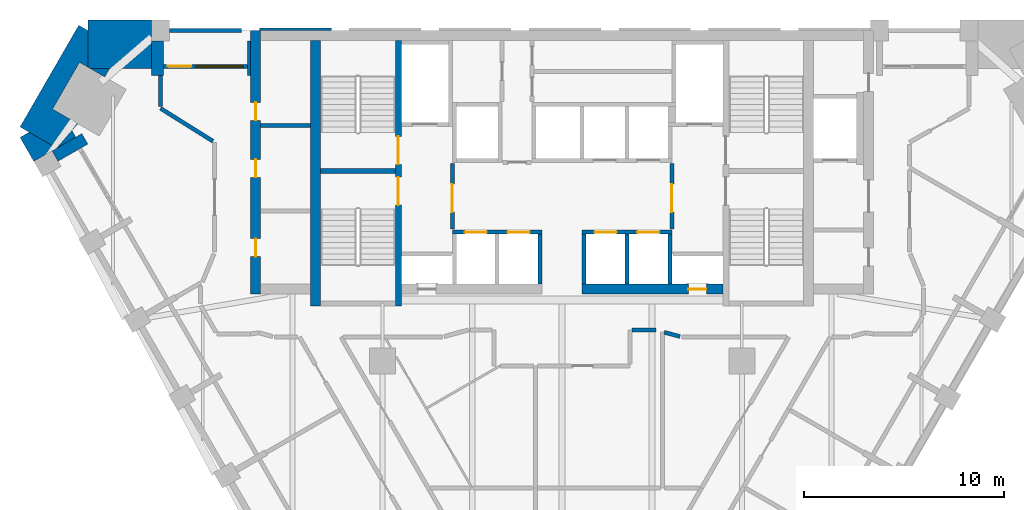
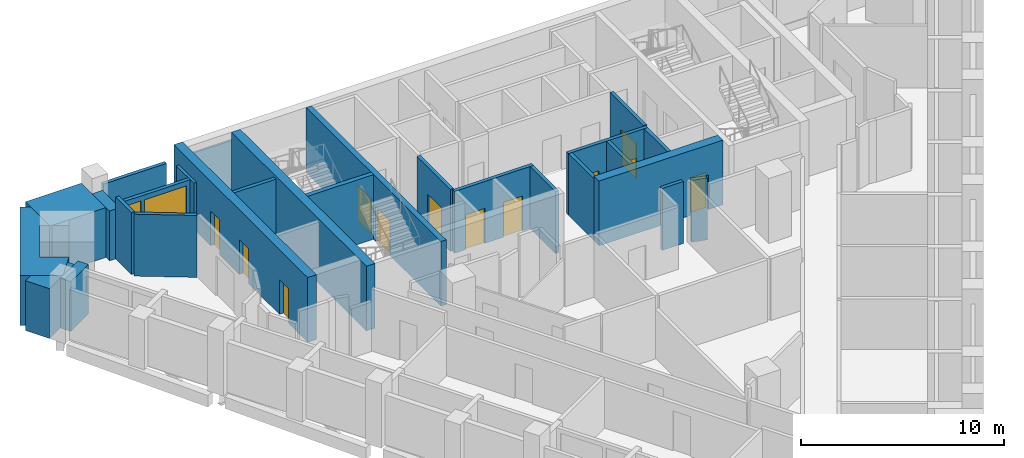
# One storey, part 5 of 9: 29 walls, 13 doors, 1 window, 14 openings.
"""IFC4 building model written with IfcOpenShell, lengths in metres."""

from ifc_helpers import new_model, si_unit, direction, frame, frame_2d, origin, place, context, subcontext, project, spatial, polyline, rectangle, outline, extrude, material, layer, layer_set, type_object, element, fill, save


model = new_model("IFC4")

# Units and contexts
model_context = context("Model", 3, precision=1e-05, world=origin(), true_north=direction((0.0, 1.0)))
body_context = subcontext(model_context, "Body", "Model", "MODEL_VIEW")
ifc_project = project(units=[si_unit("LENGTHUNIT", "METRE"), si_unit("AREAUNIT", "SQUARE_METRE"), si_unit("VOLUMEUNIT", "CUBIC_METRE"), si_unit("PLANEANGLEUNIT", "RADIAN"), si_unit("MASSUNIT", "GRAM", prefix="KILO")], contexts=[model_context])

# Site, building, storey
site_placement = place(None, origin())
site = spatial("IfcSite", under=ifc_project, at=site_placement, CompositionType="ELEMENT")
building_placement = place(site_placement, origin())
building = spatial("IfcBuilding", under=site, at=building_placement, Name="Calabash Gate Tower", CompositionType="ELEMENT")
storey_placement = place(building_placement, frame((0.0, 0.0, 156.300048828125)))
storey = spatial("IfcBuildingStorey", under=building, at=storey_placement, Name="L36", CompositionType="ELEMENT", Elevation=156.300048828125)

# Walls
ifc_material_1 = material(Name="Terracotta brick masonry, exposed face", Category="masonry")
ifc_layer_1 = layer(ifc_material_1, 2.425048828125)
ifc_layer_set_1 = layer_set([ifc_layer_1], Name="Brick corner mass wall 2425")
wall_type_1 = type_object("IfcWallType", Name="Brick corner mass wall 2425", PredefinedType="SOLIDWALL", material=ifc_layer_set_1)
wall_1_placement = place(storey_placement, origin())
element("IfcWall", 1, at=wall_1_placement, inside=storey, type_object=wall_type_1, Name="Brick corner pier S10 4a", PredefinedType="SOLIDWALL", context=body_context, shape_type="SweptSolid", body=[
    extrude(outline(polyline([(-23.645751953125, 17.152587890625), (-20.5625, 17.152587890625), (-20.5625, 18.528076171875), (-20.56298828125, 18.528076171875), (-20.56298828125, 19.57763671875), (-23.755615234375, 19.57763671875), (-23.755615234375, 17.216064453125), (-23.645751953125, 17.152587890625)])), origin(), (0.0, 0.0, 1.0), 3.0),
])
wall_2_placement = place(storey_placement, origin())
element("IfcWall", 2, at=wall_2_placement, inside=storey, type_object=wall_type_1, Name="Brick corner pier S10 4ba", PredefinedType="SOLIDWALL", context=body_context, shape_type="SweptSolid", body=[
    extrude(outline(polyline([(-24.25537109375, 14.386962890625), (-25.51806640625, 15.115966796875), (-24.168212890625, 17.4541015625), (-23.755615234375, 17.216064453125), (-23.755615234375, 19.052490234375), (-24.210205078125, 19.31494140625), (-27.150634765625, 14.221923828125), (-25.3125, 13.16064453125), (-24.25537109375, 14.386962890625)])), origin(), (0.0, 0.0, 1.0), 3.0),
])
wall_3_placement = place(storey_placement, origin())
element("IfcWall", 3, at=wall_3_placement, inside=storey, type_object=wall_type_1, Name="Brick corner pier S10 4bb", PredefinedType="SOLIDWALL", context=body_context, shape_type="SweptSolid", body=[
    extrude(outline(polyline([(-22.65869140625, 17.152587890625), (-23.645751953125, 17.152587890625), (-22.905517578125, 16.72509765625), (-22.65869140625, 17.152587890625)])), origin(), (0.0, 0.0, 1.0), 3.0),
])
wall_4_placement = place(storey_placement, origin())
element("IfcWall", 4, at=wall_4_placement, inside=storey, type_object=wall_type_1, Name="Brick corner pier S10 4ca", PredefinedType="SOLIDWALL", context=body_context, shape_type="SweptSolid", body=[
    extrude(outline(polyline([(-26.696044921875, 13.95947265625), (-27.150634765625, 13.697021484375), (-26.458984375, 12.498779296875), (-25.3125, 13.16064453125), (-26.696044921875, 13.95947265625)])), origin(), (0.0, 0.0, 1.0), 3.0),
])
wall_5_placement = place(storey_placement, origin())
element("IfcWall", 5, at=wall_5_placement, inside=storey, type_object=wall_type_1, Name="Brick corner pier S10 4cb", PredefinedType="SOLIDWALL", context=body_context, shape_type="SweptSolid", body=[
    extrude(outline(polyline([(-24.551025390625, 14.0439453125), (-25.305908203125, 13.168212890625), (-25.303955078125, 13.165771484375), (-24.35888671875, 13.71142578125), (-24.551025390625, 14.0439453125)])), origin(), (0.0, 0.0, 1.0), 3.0),
])
ifc_material_2 = material(Name="Terracotta brick masonry, exposed face", Category="masonry")
ifc_layer_2 = layer(ifc_material_2, 0.300048828125)
ifc_layer_set_2 = layer_set([ifc_layer_2], Name="Brick loggia cheek wall 300")
wall_type_2 = type_object("IfcWallType", Name="Brick loggia cheek wall 300", PredefinedType="SOLIDWALL", material=ifc_layer_set_2)
wall_6_placement = place(storey_placement, frame((-25.399169921875, 12.76416015625, 0.0), z_axis=(0.0, 0.0, 1.0), x_axis=(0.866004044806, 0.500036993012, 0.0)))
element("IfcWall", 6, at=wall_6_placement, inside=storey, type_object=wall_type_2, Name="Loggia cheek S10 SW0.0", PredefinedType="SOLIDWALL", context=body_context, shape_type="SweptSolid", body=[
    extrude(rectangle(XDim=1.724365234375, YDim=0.60009765625, at=frame_2d((0.8623046875, 0.0))), origin(), (0.0, 0.0, 1.0), 3.0),
])
wall_7_placement = place(storey_placement, origin())
element("IfcWall", 7, at=wall_7_placement, inside=storey, type_object=wall_type_2, Name="Loggia cheek S10 N6.8", PredefinedType="SOLIDWALL", context=body_context, shape_type="SweptSolid", body=[
    extrude(outline(polyline([(-15.762451171875, 16.802490234375), (-15.60009765625, 16.802490234375), (-15.60009765625, 18.527587890625), (-15.762451171875, 18.527587890625), (-15.762451171875, 16.802490234375)])), origin(), (0.0, 0.0, 1.0), 3.0),
])
wall_8_placement = place(storey_placement, origin())
element("IfcWall", 8, at=wall_8_placement, inside=storey, type_object=wall_type_2, Name="Loggia cheek S10 N6.9", PredefinedType="SOLIDWALL", context=body_context, shape_type="SweptSolid", body=[
    extrude(outline(polyline([(-20.5625, 18.527587890625), (-20.5625, 16.802490234375), (-19.962646484375, 16.802490234375), (-19.962646484375, 18.527587890625), (-20.5625, 18.527587890625)])), origin(), (0.0, 0.0, 1.0), 3.0),
])
ifc_material_3 = material(Name="Gypsum board on steel studs, mineral wool", Category="steel")
ifc_layer_3 = layer(ifc_material_3, 0.199951171875)
ifc_layer_set_3 = layer_set([ifc_layer_3], Name="Core partition 200 gypsum board")
wall_type_3 = type_object("IfcWallType", Name="Core partition 200 gypsum board", PredefinedType="PARTITIONING", material=ifc_layer_set_3)
wall_9_placement = place(storey_placement, frame((-15.10009765625, 14.28271484375, 0.0), z_axis=(0.0, 0.0, 1.0), x_axis=(1.0, 0.0, 0.0)))
element("IfcWall", 9, at=wall_9_placement, inside=storey, type_object=wall_type_3, Name="Core partition", PredefinedType="PARTITIONING", context=body_context, shape_type="SweptSolid", body=[
    extrude(rectangle(XDim=2.5, YDim=0.199951171875, at=frame_2d((1.25, 0.0))), origin(), (0.0, 0.0, 1.0), 3.72998046875),
])
ifc_material_4 = material(Name="Concrete C70/85", Category="concrete")
ifc_layer_4 = layer(ifc_material_4, 0.25)
ifc_layer_set_4 = layer_set([ifc_layer_4], Name="Core wall 250 Concrete C70/85")
wall_type_4 = type_object("IfcWallType", Name="Core wall 250 Concrete C70/85", PredefinedType="SHEAR", material=ifc_layer_set_4)
wall_10_placement = place(storey_placement, frame((-12.10009765625, 12.027587890625, 0.0), z_axis=(0.0, 0.0, 1.0), x_axis=(1.0, 0.0, 0.0)))
element("IfcWall", 10, at=wall_10_placement, inside=storey, type_object=wall_type_4, Name="Core wall Z3-MIDW L36", PredefinedType="SHEAR", context=body_context, shape_type="SweptSolid", body=[
    extrude(rectangle(XDim=3.75, YDim=0.25, at=frame_2d((1.875, 0.0))), origin(), (0.0, 0.0, 1.0), 3.89990234375),
])

# Wall, openings, doors
ifc_material_5 = material(Name="Concrete C70/85", Category="concrete")
ifc_layer_5 = layer(ifc_material_5, 0.300048828125)
ifc_layer_set_5 = layer_set([ifc_layer_5], Name="Core wall 300 Concrete C70/85")
wall_type_5 = type_object("IfcWallType", Name="Core wall 300 Concrete C70/85", PredefinedType="SHEAR", material=ifc_layer_set_5)
wall_11_placement = place(storey_placement, frame((-8.199951171875, 5.252685546875, 0.0), z_axis=(0.0, 0.0, 1.0), x_axis=(0.0, 1.0, 0.0)))
wall_11 = element("IfcWall", 11, at=wall_11_placement, inside=storey, type_object=wall_type_5, Name="Core wall Z3-PARTW L36", PredefinedType="SHEAR", context=body_context, shape_type="SweptSolid", body=[
    extrude(rectangle(XDim=13.2998046875, YDim=0.300048828125, at=frame_2d((6.64990234375, 0.0))), origin(), (0.0, 0.0, 1.0), 3.89990234375),
])
opening_1_placement = place(wall_11_placement, frame((7.10009765625, 0.0, 0.0)))
opening_1 = element("IfcOpeningElement", 12, at=opening_1_placement, cuts=wall_11, Name="Opening O2-015", PredefinedType="OPENING", context=body_context, shape_type="SweptSolid", body=[
    extrude(rectangle(XDim=1.39990234375, YDim=2.10009765625, at=frame_2d((0.699951171875, 1.050048828125))), frame((0.0, 0.159912109375, 0.0), z_axis=(0.0, -1.0, 0.0), x_axis=(1.0, 0.0, 0.0)), (0.0, 0.0, 1.0), 0.320068359375),
])
opening_2_placement = place(wall_11_placement, frame((5.050048828125, 0.0, 0.0)))
opening_2 = element("IfcOpeningElement", 13, at=opening_2_placement, cuts=wall_11, Name="Opening O2-016", PredefinedType="OPENING", context=body_context, shape_type="SweptSolid", body=[
    extrude(rectangle(XDim=1.39990234375, YDim=2.10009765625, at=frame_2d((0.699951171875, 1.050048828125))), frame((0.0, 0.159912109375, 0.0), z_axis=(0.0, -1.0, 0.0), x_axis=(1.0, 0.0, 0.0)), (0.0, 0.0, 1.0), 0.320068359375),
])
ifc_material_6 = material(Name="Steel fire door set with fire-resisting glazing", Category="steel")
door_type_1 = type_object("IfcDoorType", Name="Fire door D05 1400x2100 FD90", OperationType="NOTDEFINED", PredefinedType="DOOR", material=ifc_material_6)
door_1_placement = place(opening_1_placement, origin())
door_1 = element("IfcDoor", 14, at=door_1_placement, inside=storey, type_object=door_type_1, Name="Exit stair door ST1", OperationType="SINGLE_SWING_LEFT", OverallHeight=2.10009765625, OverallWidth=1.39990234375, PredefinedType="DOOR", context=body_context, shape_type="SweptSolid", body=[
    extrude(rectangle(XDim=1.39990234375, YDim=2.10009765625, at=frame_2d((0.699951171875, 1.050048828125))), frame((0.0, 0.02490234375, 0.0), z_axis=(0.0, -1.0, 0.0), x_axis=(1.0, 0.0, 0.0)), (0.0, 0.0, 1.0), 0.050048828125),
])
fill(opening_1, door_1)
door_2_placement = place(opening_2_placement, origin())
door_2 = element("IfcDoor", 15, at=door_2_placement, inside=storey, type_object=door_type_1, Name="Exit stair door ST2", OperationType="SINGLE_SWING_LEFT", OverallHeight=2.10009765625, OverallWidth=1.39990234375, PredefinedType="DOOR", context=body_context, shape_type="SweptSolid", body=[
    extrude(rectangle(XDim=1.39990234375, YDim=2.10009765625, at=frame_2d((0.699951171875, 1.050048828125))), frame((0.0, 0.02490234375, 0.0), z_axis=(0.0, -1.0, 0.0), x_axis=(1.0, 0.0, 0.0)), (0.0, 0.0, 1.0), 0.050048828125),
])
fill(opening_2, door_2)

# Wall
ifc_material_7 = material(Name="Concrete C70/85", Category="concrete")
ifc_layer_6 = layer(ifc_material_7, 0.5)
ifc_layer_set_6 = layer_set([ifc_layer_6], Name="Core wall 500 Concrete C70/85")
wall_type_6 = type_object("IfcWallType", Name="Core wall 500 Concrete C70/85", PredefinedType="SHEAR", material=ifc_layer_set_6)
wall_12_placement = place(storey_placement, frame((-12.35009765625, 5.252685546875, 0.0), z_axis=(0.0, 0.0, 1.0), x_axis=(0.0, 1.0, 0.0)))
element("IfcWall", 16, at=wall_12_placement, inside=storey, type_object=wall_type_6, Name="Core wall Z3-COLW L36", PredefinedType="SHEAR", context=body_context, shape_type="SweptSolid", body=[
    extrude(rectangle(XDim=13.2998046875, YDim=0.5, at=frame_2d((6.64990234375, 0.0))), origin(), (0.0, 0.0, 1.0), 3.89990234375),
])

# Wall, opening, door
wall_13_placement = place(storey_placement, frame((1.0, 6.1025390625, 0.0), z_axis=(0.0, 0.0, 1.0), x_axis=(1.0, 0.0, 0.0)))
wall_13 = element("IfcWall", 17, at=wall_13_placement, inside=storey, type_object=wall_type_6, Name="Core wall Z3-SB L36", PredefinedType="SHEAR", context=body_context, shape_type="SweptSolid", body=[
    extrude(rectangle(XDim=7.050048828125, YDim=0.5, at=frame_2d((3.52490234375, 0.0))), origin(), (0.0, 0.0, 1.0), 3.89990234375),
])
opening_3_placement = place(wall_13_placement, frame((5.324951171875, 0.0, 0.0)))
opening_3 = element("IfcOpeningElement", 18, at=opening_3_placement, cuts=wall_13, Name="Opening O2-013", PredefinedType="OPENING", context=body_context, shape_type="SweptSolid", body=[
    extrude(rectangle(XDim=0.89990234375, YDim=2.10009765625, at=frame_2d((0.449951171875, 1.050048828125))), frame((0.0, 0.260009765625, 0.0), z_axis=(0.0, -1.0, 0.0), x_axis=(1.0, 0.0, 0.0)), (0.0, 0.0, 1.0), 0.52001953125),
])
ifc_material_8 = material(Name="Steel fire door set with fire-resisting glazing", Category="steel")
door_type_2 = type_object("IfcDoorType", Name="Fire door D07 900x2100 FD90", OperationType="NOTDEFINED", PredefinedType="DOOR", material=ifc_material_8)
door_3_placement = place(opening_3_placement, origin())
door_3 = element("IfcDoor", 19, at=door_3_placement, inside=storey, type_object=door_type_2, Name="Mechanical Riser E door", OperationType="SINGLE_SWING_RIGHT", OverallHeight=2.10009765625, OverallWidth=0.89990234375, PredefinedType="DOOR", context=body_context, shape_type="SweptSolid", body=[
    extrude(rectangle(XDim=0.89990234375, YDim=2.10009765625, at=frame_2d((0.449951171875, 1.050048828125))), frame((0.0, 0.02490234375, 0.0), z_axis=(0.0, -1.0, 0.0), x_axis=(1.0, 0.0, 0.0)), (0.0, 0.0, 1.0), 0.050048828125),
])
fill(opening_3, door_3)

# Wall, openings, doors
wall_14_placement = place(storey_placement, frame((-15.35009765625, 5.8525390625, 0.0), z_axis=(0.0, 0.0, 1.0), x_axis=(0.0, 1.0, 0.0)))
wall_14 = element("IfcWall", 20, at=wall_14_placement, inside=storey, type_object=wall_type_6, Name="Core wall Z3-ENDW L36", PredefinedType="SHEAR", context=body_context, shape_type="SweptSolid", body=[
    extrude(rectangle(XDim=13.199951171875, YDim=0.5, at=frame_2d((6.60009765625, 0.0))), origin(), (0.0, 0.0, 1.0), 3.89990234375),
])
opening_4_placement = place(wall_14_placement, frame((1.8798828125, 0.0, 0.0)))
opening_4 = element("IfcOpeningElement", 21, at=opening_4_placement, cuts=wall_14, Name="Opening O2-004", PredefinedType="OPENING", context=body_context, shape_type="SweptSolid", body=[
    extrude(rectangle(XDim=0.89990234375, YDim=2.10009765625, at=frame_2d((0.449951171875, 1.050048828125))), frame((0.0, 0.260009765625, 0.0), z_axis=(0.0, -1.0, 0.0), x_axis=(1.0, 0.0, 0.0)), (0.0, 0.0, 1.0), 0.52001953125),
])
opening_5_placement = place(wall_14_placement, frame((5.844970703125, 0.0, 0.0)))
opening_5 = element("IfcOpeningElement", 22, at=opening_5_placement, cuts=wall_14, Name="Opening O2-005", PredefinedType="OPENING", context=body_context, shape_type="SweptSolid", body=[
    extrude(rectangle(XDim=0.89990234375, YDim=2.10009765625, at=frame_2d((0.449951171875, 1.050048828125))), frame((0.0, 0.260009765625, 0.0), z_axis=(0.0, -1.0, 0.0), x_axis=(1.0, 0.0, 0.0)), (0.0, 0.0, 1.0), 0.52001953125),
])
opening_6_placement = place(wall_14_placement, frame((8.697509765625, 0.0, 0.0)))
opening_6 = element("IfcOpeningElement", 23, at=opening_6_placement, cuts=wall_14, Name="Opening O2-006", PredefinedType="OPENING", context=body_context, shape_type="SweptSolid", body=[
    extrude(rectangle(XDim=0.89990234375, YDim=2.10009765625, at=frame_2d((0.449951171875, 1.050048828125))), frame((0.0, 0.260009765625, 0.0), z_axis=(0.0, -1.0, 0.0), x_axis=(1.0, 0.0, 0.0)), (0.0, 0.0, 1.0), 0.52001953125),
])
ifc_material_9 = material(Name="Steel fire door set with fire-resisting glazing", Category="steel")
door_type_3 = type_object("IfcDoorType", Name="Fire door D06 900x2100 FD60", OperationType="NOTDEFINED", PredefinedType="DOOR", material=ifc_material_9)
door_4_placement = place(opening_4_placement, origin())
door_4 = element("IfcDoor", 24, at=door_4_placement, inside=storey, type_object=door_type_3, Name="Tenant Pantry door", OperationType="SINGLE_SWING_LEFT", OverallHeight=2.10009765625, OverallWidth=0.89990234375, PredefinedType="DOOR", context=body_context, shape_type="SweptSolid", body=[
    extrude(rectangle(XDim=0.89990234375, YDim=2.10009765625, at=frame_2d((0.449951171875, 1.050048828125))), frame((0.0, 0.02490234375, 0.0), z_axis=(0.0, -1.0, 0.0), x_axis=(1.0, 0.0, 0.0)), (0.0, 0.0, 1.0), 0.050048828125),
])
fill(opening_4, door_4)
door_5_placement = place(opening_5_placement, origin())
door_5 = element("IfcDoor", 25, at=door_5_placement, inside=storey, type_object=door_type_3, Name="Comms Room door", OperationType="SINGLE_SWING_LEFT", OverallHeight=2.10009765625, OverallWidth=0.89990234375, PredefinedType="DOOR", context=body_context, shape_type="SweptSolid", body=[
    extrude(rectangle(XDim=0.89990234375, YDim=2.10009765625, at=frame_2d((0.449951171875, 1.050048828125))), frame((0.0, 0.02490234375, 0.0), z_axis=(0.0, -1.0, 0.0), x_axis=(1.0, 0.0, 0.0)), (0.0, 0.0, 1.0), 0.050048828125),
])
fill(opening_5, door_5)
door_6_placement = place(opening_6_placement, origin())
door_6 = element("IfcDoor", 26, at=door_6_placement, inside=storey, type_object=door_type_3, Name="Cleaner's Store door", OperationType="SINGLE_SWING_LEFT", OverallHeight=2.10009765625, OverallWidth=0.89990234375, PredefinedType="DOOR", context=body_context, shape_type="SweptSolid", body=[
    extrude(rectangle(XDim=0.89990234375, YDim=2.10009765625, at=frame_2d((0.449951171875, 1.050048828125))), frame((0.0, 0.02490234375, 0.0), z_axis=(0.0, -1.0, 0.0), x_axis=(1.0, 0.0, 0.0)), (0.0, 0.0, 1.0), 0.050048828125),
])
fill(opening_6, door_6)

# Walls
ifc_material_10 = material(Name="Gypsum board on steel studs, mineral wool", Category="steel")
ifc_layer_7 = layer(ifc_material_10, 0.199951171875)
ifc_layer_set_7 = layer_set([ifc_layer_7], Name="Partition 200 gypsum board EI 60")
wall_type_7 = type_object("IfcWallType", Name="Partition 200 gypsum board EI 60", PredefinedType="PARTITIONING", material=ifc_layer_set_7)
wall_15_placement = place(storey_placement, frame((5.118408203125, 3.937255859375, 0.0), z_axis=(0.0, 0.0, 1.0), x_axis=(0.965583853378, -0.260091949308, 0.0)))
element("IfcWall", 27, at=wall_15_placement, inside=storey, type_object=wall_type_7, Name="Partition", PredefinedType="PARTITIONING", context=body_context, shape_type="SweptSolid", body=[
    extrude(rectangle(XDim=0.81298828125, YDim=0.199951171875, at=frame_2d((0.406494140625, 0.0))), origin(), (0.0, 0.0, 1.0), 3.72998046875),
])
wall_16_placement = place(storey_placement, frame((3.501953125, 4.05078125, 0.0), z_axis=(0.0, 0.0, 1.0), x_axis=(0.999998982503, 0.001426532072, 0.0)))
element("IfcWall", 28, at=wall_16_placement, inside=storey, type_object=wall_type_7, Name="Partition", PredefinedType="PARTITIONING", context=body_context, shape_type="SweptSolid", body=[
    extrude(rectangle(XDim=1.197998046875, YDim=0.199951171875, at=frame_2d((0.59912109375, 0.0))), origin(), (0.0, 0.0, 1.0), 3.72998046875),
])
wall_17_placement = place(storey_placement, frame((-20.11279296875, 15.152099609375, 0.0), z_axis=(0.0, 0.0, 1.0), x_axis=(0.847356354359, -0.531024678078, 0.0)))
element("IfcWall", 29, at=wall_17_placement, inside=storey, type_object=wall_type_7, Name="Partition", PredefinedType="PARTITIONING", context=body_context, shape_type="SweptSolid", body=[
    extrude(rectangle(XDim=3.10107421875, YDim=0.199951171875, at=frame_2d((1.550537109375, 0.0))), origin(), (0.0, 0.0, 1.0), 3.72998046875),
])
wall_18_placement = place(storey_placement, frame((-20.113037109375, 16.802490234375, 0.0), z_axis=(0.0, 0.0, 1.0), x_axis=(0.000157480313, -0.9999999876, 0.0)))
element("IfcWall", 30, at=wall_18_placement, inside=storey, type_object=wall_type_7, Name="Partition", PredefinedType="PARTITIONING", context=body_context, shape_type="SweptSolid", body=[
    extrude(rectangle(XDim=1.55029296875, YDim=0.199951171875, at=frame_2d((0.775146484375, 0.0))), origin(), (0.0, 0.0, 1.0), 3.72998046875),
])
ifc_material_11 = material(Name="Concrete C40/50", Category="concrete")
ifc_layer_8 = layer(ifc_material_11, 0.199951171875)
ifc_layer_set_8 = layer_set([ifc_layer_8], Name="Shaft wall 200 Concrete C40/50")
wall_type_8 = type_object("IfcWallType", Name="Shaft wall 200 Concrete C40/50", PredefinedType="SOLIDWALL", material=ifc_layer_set_8)
for number, where, z_axis, x_axis, name in (
    (31, (-1.10009765625, 6.3525390625, 0.0), (0.0, 0.0, 1.0), (0.0, 1.0, 0.0), "Shaft wall"),
    (32, (1.10009765625, 6.3525390625, 0.0), (0.0, 0.0, 1.0), (0.0, 1.0, 0.0), "Shaft wall"),
    (33, (3.25, 6.3525390625, 0.0), (0.0, 0.0, 1.0), (0.0, 1.0, 0.0), "Shaft wall"),
    (34, (5.39990234375, 6.3525390625, 0.0), (0.0, 0.0, 1.0), (0.0, 1.0, 0.0), "Shaft wall"),
):
    element("IfcWall", number, at=place(storey_placement, frame(where, z_axis=z_axis, x_axis=x_axis)), inside=storey, type_object=wall_type_8, Name=name, PredefinedType="SOLIDWALL", context=body_context, shape_type="SweptSolid", body=[
        extrude(rectangle(XDim=2.5, YDim=0.199951171875, at=frame_2d((1.25, 0.0))), origin(), (0.0, 0.0, 1.0), 3.72998046875),
    ])

# Wall, openings, doors
wall_19_placement = place(storey_placement, frame((-5.5, 8.95263671875, 0.0), z_axis=(0.0, 0.0, 1.0), x_axis=(1.0, 0.0, 0.0)))
wall_19 = element("IfcWall", 35, at=wall_19_placement, inside=storey, type_object=wall_type_8, Name="Shaft wall", PredefinedType="SOLIDWALL", context=body_context, shape_type="SweptSolid", body=[
    extrude(rectangle(XDim=4.5, YDim=0.199951171875, at=frame_2d((2.25, 0.0))), origin(), (0.0, 0.0, 1.0), 3.72998046875),
])
opening_7_placement = place(wall_19_placement, frame((0.625, 0.0, 0.0)))
opening_7 = element("IfcOpeningElement", 36, at=opening_7_placement, cuts=wall_19, Name="Opening LD-HR1", PredefinedType="OPENING", context=body_context, shape_type="SweptSolid", body=[
    extrude(rectangle(XDim=1.10009765625, YDim=2.10009765625, at=frame_2d((0.550048828125, 1.050048828125))), frame((0.0, 0.10986328125, 0.0), z_axis=(0.0, -1.0, 0.0), x_axis=(1.0, 0.0, 0.0)), (0.0, 0.0, 1.0), 0.219970703125),
])
opening_8_placement = place(wall_19_placement, frame((2.77490234375, 0.0, 0.0)))
opening_8 = element("IfcOpeningElement", 37, at=opening_8_placement, cuts=wall_19, Name="Opening LD-HR2", PredefinedType="OPENING", context=body_context, shape_type="SweptSolid", body=[
    extrude(rectangle(XDim=1.10009765625, YDim=2.10009765625, at=frame_2d((0.550048828125, 1.050048828125))), frame((0.0, 0.10986328125, 0.0), z_axis=(0.0, -1.0, 0.0), x_axis=(1.0, 0.0, 0.0)), (0.0, 0.0, 1.0), 0.219970703125),
])
ifc_material_12 = material(Name="Stainless steel sliding door leaves", Category="steel")
door_type_4 = type_object("IfcDoorType", Name="Lift landing door LS1 1100x2100 FD90", OperationType="DOUBLE_DOOR_SLIDING", PredefinedType="DOOR", material=ifc_material_12)
door_7_placement = place(opening_7_placement, origin())
door_7 = element("IfcDoor", 38, at=door_7_placement, inside=storey, type_object=door_type_4, Name="Lift landing door HR1", OperationType="DOUBLE_DOOR_SLIDING", OverallHeight=2.10009765625, OverallWidth=1.10009765625, PredefinedType="DOOR", context=body_context, shape_type="SweptSolid", body=[
    extrude(rectangle(XDim=1.10009765625, YDim=2.10009765625, at=frame_2d((0.550048828125, 1.050048828125))), frame((0.0, 0.02490234375, 0.0), z_axis=(0.0, -1.0, 0.0), x_axis=(1.0, 0.0, 0.0)), (0.0, 0.0, 1.0), 0.050048828125),
])
fill(opening_7, door_7)
door_8_placement = place(opening_8_placement, origin())
door_8 = element("IfcDoor", 39, at=door_8_placement, inside=storey, type_object=door_type_4, Name="Lift landing door HR2", OperationType="DOUBLE_DOOR_SLIDING", OverallHeight=2.10009765625, OverallWidth=1.10009765625, PredefinedType="DOOR", context=body_context, shape_type="SweptSolid", body=[
    extrude(rectangle(XDim=1.10009765625, YDim=2.10009765625, at=frame_2d((0.550048828125, 1.050048828125))), frame((0.0, 0.02490234375, 0.0), z_axis=(0.0, -1.0, 0.0), x_axis=(1.0, 0.0, 0.0)), (0.0, 0.0, 1.0), 0.050048828125),
])
fill(opening_8, door_8)

wall_20_placement = place(storey_placement, frame((1.0, 8.95263671875, 0.0), z_axis=(0.0, 0.0, 1.0), x_axis=(1.0, 0.0, 0.0)))
wall_20 = element("IfcWall", 40, at=wall_20_placement, inside=storey, type_object=wall_type_8, Name="Shaft wall", PredefinedType="SOLIDWALL", context=body_context, shape_type="SweptSolid", body=[
    extrude(rectangle(XDim=4.5, YDim=0.199951171875, at=frame_2d((2.25, 0.0))), origin(), (0.0, 0.0, 1.0), 3.72998046875),
])
opening_9_placement = place(wall_20_placement, frame((0.625, 0.0, 0.0)))
opening_9 = element("IfcOpeningElement", 41, at=opening_9_placement, cuts=wall_20, Name="Opening LD-HR3", PredefinedType="OPENING", context=body_context, shape_type="SweptSolid", body=[
    extrude(rectangle(XDim=1.10009765625, YDim=2.10009765625, at=frame_2d((0.550048828125, 1.050048828125))), frame((0.0, 0.10986328125, 0.0), z_axis=(0.0, -1.0, 0.0), x_axis=(1.0, 0.0, 0.0)), (0.0, 0.0, 1.0), 0.219970703125),
])
opening_10_placement = place(wall_20_placement, frame((2.77490234375, 0.0, 0.0)))
opening_10 = element("IfcOpeningElement", 42, at=opening_10_placement, cuts=wall_20, Name="Opening LD-HR4", PredefinedType="OPENING", context=body_context, shape_type="SweptSolid", body=[
    extrude(rectangle(XDim=1.10009765625, YDim=2.10009765625, at=frame_2d((0.550048828125, 1.050048828125))), frame((0.0, 0.10986328125, 0.0), z_axis=(0.0, -1.0, 0.0), x_axis=(1.0, 0.0, 0.0)), (0.0, 0.0, 1.0), 0.219970703125),
])
door_9_placement = place(opening_9_placement, origin())
door_9 = element("IfcDoor", 43, at=door_9_placement, inside=storey, type_object=door_type_4, Name="Lift landing door HR3", OperationType="DOUBLE_DOOR_SLIDING", OverallHeight=2.10009765625, OverallWidth=1.10009765625, PredefinedType="DOOR", context=body_context, shape_type="SweptSolid", body=[
    extrude(rectangle(XDim=1.10009765625, YDim=2.10009765625, at=frame_2d((0.550048828125, 1.050048828125))), frame((0.0, 0.02490234375, 0.0), z_axis=(0.0, -1.0, 0.0), x_axis=(1.0, 0.0, 0.0)), (0.0, 0.0, 1.0), 0.050048828125),
])
fill(opening_9, door_9)
door_10_placement = place(opening_10_placement, origin())
door_10 = element("IfcDoor", 44, at=door_10_placement, inside=storey, type_object=door_type_4, Name="Lift landing door HR4", OperationType="DOUBLE_DOOR_SLIDING", OverallHeight=2.10009765625, OverallWidth=1.10009765625, PredefinedType="DOOR", context=body_context, shape_type="SweptSolid", body=[
    extrude(rectangle(XDim=1.10009765625, YDim=2.10009765625, at=frame_2d((0.550048828125, 1.050048828125))), frame((0.0, 0.02490234375, 0.0), z_axis=(0.0, -1.0, 0.0), x_axis=(1.0, 0.0, 0.0)), (0.0, 0.0, 1.0), 0.050048828125),
])
fill(opening_10, door_10)

# Wall, opening, door
wall_21_placement = place(storey_placement, frame((-5.5, 9.1025390625, 0.0), z_axis=(0.0, 0.0, 1.0), x_axis=(0.0, 1.0, 0.0)))
wall_21 = element("IfcWall", 45, at=wall_21_placement, inside=storey, type_object=wall_type_8, Name="Shaft wall", PredefinedType="SOLIDWALL", context=body_context, shape_type="SweptSolid", body=[
    extrude(rectangle(XDim=3.300048828125, YDim=0.199951171875, at=frame_2d((1.64990234375, 0.0))), origin(), (0.0, 0.0, 1.0), 3.72998046875),
])
opening_11_placement = place(wall_21_placement, frame((0.85009765625, 0.0, 0.0)))
opening_11 = element("IfcOpeningElement", 46, at=opening_11_placement, cuts=wall_21, Name="Opening O2-009", PredefinedType="OPENING", context=body_context, shape_type="SweptSolid", body=[
    extrude(rectangle(XDim=1.39990234375, YDim=2.10009765625, at=frame_2d((0.699951171875, 1.050048828125))), frame((0.0, 0.10986328125, 0.0), z_axis=(0.0, -1.0, 0.0), x_axis=(1.0, 0.0, 0.0)), (0.0, 0.0, 1.0), 0.219970703125),
])
door_11_placement = place(opening_11_placement, origin())
door_11 = element("IfcDoor", 47, at=door_11_placement, inside=storey, type_object=door_type_1, Name="Firefighting Lobby W door", OperationType="SINGLE_SWING_RIGHT", OverallHeight=2.10009765625, OverallWidth=1.39990234375, PredefinedType="DOOR", context=body_context, shape_type="SweptSolid", body=[
    extrude(rectangle(XDim=1.39990234375, YDim=2.10009765625, at=frame_2d((0.699951171875, 1.050048828125))), frame((0.0, 0.02490234375, 0.0), z_axis=(0.0, -1.0, 0.0), x_axis=(1.0, 0.0, 0.0)), (0.0, 0.0, 1.0), 0.050048828125),
])
fill(opening_11, door_11)

wall_22_placement = place(storey_placement, frame((5.5, 9.1025390625, 0.0), z_axis=(0.0, 0.0, 1.0), x_axis=(0.0, 1.0, 0.0)))
wall_22 = element("IfcWall", 48, at=wall_22_placement, inside=storey, type_object=wall_type_8, Name="Shaft wall", PredefinedType="SOLIDWALL", context=body_context, shape_type="SweptSolid", body=[
    extrude(rectangle(XDim=3.300048828125, YDim=0.199951171875, at=frame_2d((1.64990234375, 0.0))), origin(), (0.0, 0.0, 1.0), 3.72998046875),
])
opening_12_placement = place(wall_22_placement, frame((0.85009765625, 0.0, 0.0)))
opening_12 = element("IfcOpeningElement", 49, at=opening_12_placement, cuts=wall_22, Name="Opening O2-008", PredefinedType="OPENING", context=body_context, shape_type="SweptSolid", body=[
    extrude(rectangle(XDim=1.39990234375, YDim=2.10009765625, at=frame_2d((0.699951171875, 1.050048828125))), frame((0.0, 0.10986328125, 0.0), z_axis=(0.0, -1.0, 0.0), x_axis=(1.0, 0.0, 0.0)), (0.0, 0.0, 1.0), 0.219970703125),
])
door_12_placement = place(opening_12_placement, origin())
door_12 = element("IfcDoor", 50, at=door_12_placement, inside=storey, type_object=door_type_1, Name="Firefighting Lobby E door", OperationType="SINGLE_SWING_LEFT", OverallHeight=2.10009765625, OverallWidth=1.39990234375, PredefinedType="DOOR", context=body_context, shape_type="SweptSolid", body=[
    extrude(rectangle(XDim=1.39990234375, YDim=2.10009765625, at=frame_2d((0.699951171875, 1.050048828125))), frame((0.0, 0.02490234375, 0.0), z_axis=(0.0, -1.0, 0.0), x_axis=(1.0, 0.0, 0.0)), (0.0, 0.0, 1.0), 0.050048828125),
])
fill(opening_12, door_12)

# Walls
ifc_material_13 = material(Name="Terracotta brick masonry, perforated", Category="masonry")
ifc_layer_9 = layer(ifc_material_13, 0.199951171875)
ifc_layer_set_9 = layer_set([ifc_layer_9], Name="Terracotta jaali screen B")
wall_type_9 = type_object("IfcWallType", Name="Terracotta jaali screen B", PredefinedType="SOLIDWALL", material=ifc_layer_set_9)
wall_23_placement = place(storey_placement, frame((-16.0625, 19.052490234375, 0.0), z_axis=(0.0, 0.0, 1.0), x_axis=(-1.0, 0.0, 0.0)))
element("IfcWall", 51, at=wall_23_placement, inside=storey, type_object=wall_type_9, Name="SCREEN B S10 N6.9", PredefinedType="SOLIDWALL", context=body_context, shape_type="SweptSolid", body=[
    extrude(rectangle(XDim=3.60009765625, YDim=0.199951171875, at=frame_2d((1.800048828125, 0.0))), origin(), (0.0, 0.0, 1.0), 3.0),
])
ifc_material_14 = material(Name="Terracotta louvre blades in an aluminium frame", Category="masonry")
ifc_layer_10 = layer(ifc_material_14, 0.1201171875)
ifc_layer_set_10 = layer_set([ifc_layer_10], Name="Terracotta vent louvre cladding 120")
wall_type_10 = type_object("IfcWallType", Name="Terracotta vent louvre cladding 120", PredefinedType="ELEMENTEDWALL", material=ifc_layer_set_10)
wall_24_placement = place(storey_placement, origin())
element("IfcWall", 52, at=wall_24_placement, inside=storey, type_object=wall_type_10, Name="Vent louvre cladding S10 N6.8", PredefinedType="ELEMENTEDWALL", context=body_context, shape_type="SweptSolid", body=[
    extrude(outline(polyline([(-15.16259765625, 19.172607421875), (-15.16259765625, 19.052490234375), (-11.5625, 19.052490234375), (-11.5625, 19.172607421875), (-15.16259765625, 19.172607421875)])), origin(), (0.0, 0.0, 1.0), 3.0),
])

# Wall, openings, door, window
ifc_material_15 = material(Name="Aluminium framed window wall with insulated spandrel", Category="aluminium")
ifc_layer_11 = layer(ifc_material_15, 0.199951171875)
ifc_layer_set_11 = layer_set([ifc_layer_11], Name="Window wall 200")
wall_type_11 = type_object("IfcWallType", Name="Window wall 200", PredefinedType="ELEMENTEDWALL", material=ifc_layer_set_11)
wall_25_placement = place(storey_placement, frame((-15.762451171875, 17.25244140625, 0.0), z_axis=(0.0, 0.0, 1.0), x_axis=(-1.0, 0.0, 0.0)))
wall_25 = element("IfcWall", 53, at=wall_25_placement, inside=storey, type_object=wall_type_11, Name="Window wall S10 N6.9", PredefinedType="ELEMENTEDWALL", context=body_context, shape_type="SweptSolid", body=[
    extrude(rectangle(XDim=4.2001953125, YDim=0.199951171875, at=frame_2d((2.10009765625, 0.0))), origin(), (0.0, 0.0, 1.0), 3.0),
])
opening_13_placement = place(wall_25_placement, frame((0.199951171875, 0.0, 0.449951171875)))
opening_13 = element("IfcOpeningElement", 54, at=opening_13_placement, cuts=wall_25, Name="Opening OW1", PredefinedType="OPENING", context=body_context, shape_type="SweptSolid", body=[
    extrude(rectangle(XDim=2.39990234375, YDim=2.25, at=frame_2d((1.199951171875, 1.125))), frame((0.0, 0.10986328125, 0.0), z_axis=(0.0, -1.0, 0.0), x_axis=(1.0, 0.0, 0.0)), (0.0, 0.0, 1.0), 0.219970703125),
])
opening_14_placement = place(wall_25_placement, frame((2.800048828125, 0.0, 0.0)))
opening_14 = element("IfcOpeningElement", 55, at=opening_14_placement, cuts=wall_25, Name="Opening O2-020", PredefinedType="OPENING", context=body_context, shape_type="SweptSolid", body=[
    extrude(rectangle(XDim=1.199951171875, YDim=2.699951171875, at=frame_2d((0.60009765625, 1.35009765625))), frame((0.0, 0.10986328125, 0.0), z_axis=(0.0, -1.0, 0.0), x_axis=(1.0, 0.0, 0.0)), (0.0, 0.0, 1.0), 0.219970703125),
])
ifc_material_16 = material(Name="Anodised aluminium frame, bronze finish, impact-rated laminated clear glazing", Category="aluminium")
door_type_5 = type_object("IfcDoorType", Name="Loggia door DO1 1200x2700", OperationType="SLIDING_TO_LEFT", PredefinedType="DOOR", material=ifc_material_16)
door_13_placement = place(opening_14_placement, origin())
door_13 = element("IfcDoor", 56, at=door_13_placement, inside=storey, type_object=door_type_5, Name="Loggia door S10 N6.9", OperationType="SINGLE_SWING_LEFT", OverallHeight=2.699951171875, OverallWidth=1.199951171875, PredefinedType="DOOR", context=body_context, shape_type="SweptSolid", body=[
    extrude(rectangle(XDim=1.199951171875, YDim=2.699951171875, at=frame_2d((0.60009765625, 1.35009765625))), frame((0.0, 0.02490234375, 0.0), z_axis=(0.0, -1.0, 0.0), x_axis=(1.0, 0.0, 0.0)), (0.0, 0.0, 1.0), 0.050048828125),
])
fill(opening_14, door_13)
ifc_material_17 = material(Name="Anodised aluminium frame, bronze finish, impact-rated laminated clear glazing", Category="aluminium")
window_type = type_object("IfcWindowType", Name="Window OW1 2400x2250", PartitioningType="DOUBLE_PANEL_VERTICAL", PredefinedType="WINDOW", material=ifc_material_17)
window_placement = place(opening_13_placement, origin())
window = element("IfcWindow", 57, at=window_placement, inside=storey, type_object=window_type, Name="Window OW1 S10 N6.9", OverallHeight=2.25, OverallWidth=2.39990234375, PartitioningType="SINGLE_PANEL", PredefinedType="WINDOW", context=body_context, shape_type="SweptSolid", body=[
    extrude(rectangle(XDim=2.39990234375, YDim=2.25, at=frame_2d((1.199951171875, 1.125))), frame((0.0, 0.030029296875, 0.0), z_axis=(0.0, -1.0, 0.0), x_axis=(1.0, 0.0, 0.0)), (0.0, 0.0, 1.0), 0.06005859375),
])
fill(opening_13, window)

save(model, "model.ifc")
